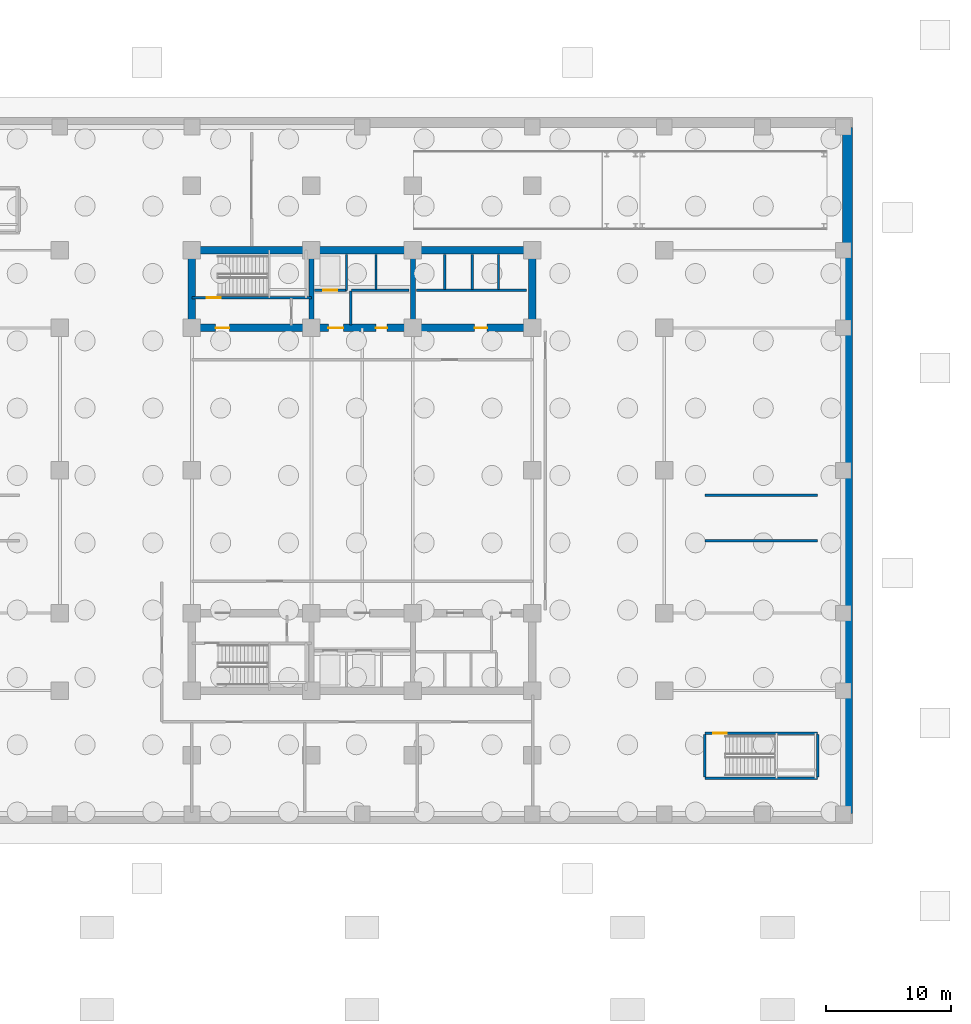
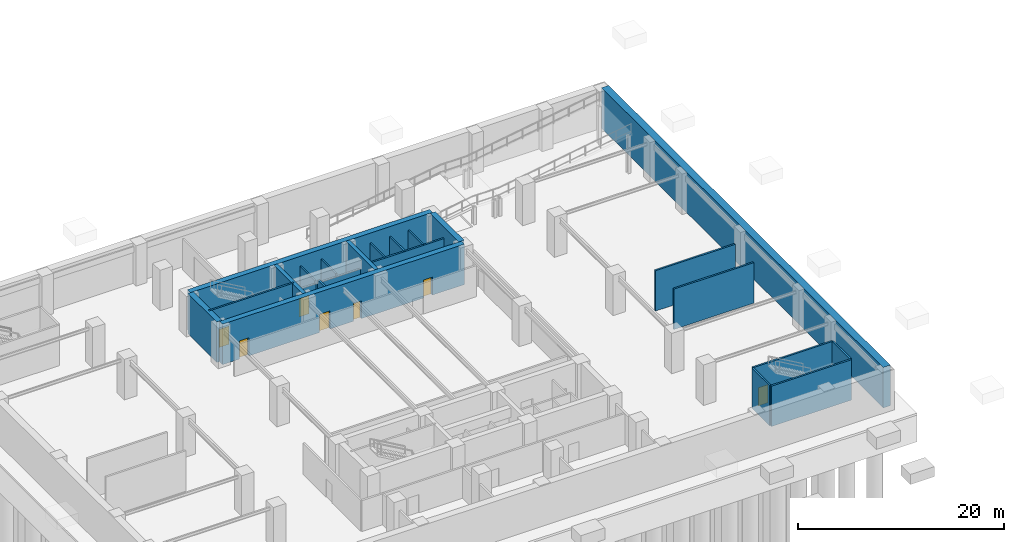
# One storey, part 8 of 13: 23 walls, 7 doors, 7 openings.
"""IFC4 building model written with IfcOpenShell, lengths in metres."""

from ifc_helpers import new_model, si_unit, direction, frame, frame_2d, origin, place, context, subcontext, project, spatial, rectangle, extrude, material, layer, layer_set, type_object, element, fill, save


model = new_model("IFC4")

# Units and contexts
model_context = context("Model", 3, precision=1e-05, world=origin(), true_north=direction((0.0, 1.0)))
body_context = subcontext(model_context, "Body", "Model", "MODEL_VIEW")
ifc_project = project(units=[si_unit("LENGTHUNIT", "METRE"), si_unit("AREAUNIT", "SQUARE_METRE"), si_unit("VOLUMEUNIT", "CUBIC_METRE"), si_unit("PLANEANGLEUNIT", "RADIAN"), si_unit("MASSUNIT", "GRAM", prefix="KILO")], contexts=[model_context])

# Site, building, storey
site_placement = place(None, origin())
site = spatial("IfcSite", under=ifc_project, at=site_placement, CompositionType="ELEMENT")
building_placement = place(site_placement, origin())
building = spatial("IfcBuilding", under=site, at=building_placement, Name="Svetorya Sky Lyceum", CompositionType="ELEMENT")
storey_placement = place(building_placement, frame((0.0, 0.0, -4.800048828125)))
storey = spatial("IfcBuildingStorey", under=building, at=storey_placement, Name="B01", CompositionType="ELEMENT", Elevation=-4.800048828125)

# Walls
ifc_material_1 = material(Name="Concrete C40/50", Category="concrete")
ifc_layer_1 = layer(ifc_material_1, 0.39990234375)
ifc_layer_set_1 = layer_set([ifc_layer_1], Name="Concrete C40/50")
wall_type_1 = type_object("IfcWallType", Name="WL-CORE-400", PredefinedType="SHEAR", material=ifc_layer_set_1)
for number, where, z_axis, x_axis, name in (
    (1, (35.14990234375, 39.89990234375, 0.0), (0.0, 0.0, 1.0), (0.0, 1.0, 0.0), "B01 NC Internal Shear Web WEB1"),
    (2, (43.25, 39.89990234375, 0.0), (0.0, 0.0, 1.0), (0.0, 1.0, 0.0), "B01 NC Internal Shear Web WEB2"),
):
    element("IfcWall", number, at=place(storey_placement, frame(where, z_axis=z_axis, x_axis=x_axis)), inside=storey, type_object=wall_type_1, Name=name, PredefinedType="SHEAR", context=body_context, shape_type="SweptSolid", body=[
        extrude(rectangle(XDim=5.60009765625, YDim=0.39990234375, at=frame_2d((2.800048828125, 0.0))), origin(), (0.0, 0.0, 1.0), 4.800048828125),
    ])
ifc_material_2 = material(Name="Concrete C60/75", Category="concrete")
ifc_layer_2 = layer(ifc_material_2, 0.60009765625)
ifc_layer_set_2 = layer_set([ifc_layer_2], Name="Concrete C60/75")
wall_type_2 = type_object("IfcWallType", Name="WL-CORE-600", PredefinedType="SHEAR", material=ifc_layer_set_2)
wall_1_placement = place(storey_placement, frame((25.60009765625, 45.800048828125, 0.0), z_axis=(0.0, 0.0, 1.0), x_axis=(1.0, 0.0, 0.0)))
element("IfcWall", 3, at=wall_1_placement, inside=storey, type_object=wall_type_2, Name="B01 NC Outer Core Shear Wall", PredefinedType="SHEAR", context=body_context, shape_type="SweptSolid", body=[
    extrude(rectangle(XDim=27.199951171875, YDim=0.60009765625, at=frame_2d((13.60009765625, 0.0))), origin(), (0.0, 0.0, 1.0), 4.800048828125),
])
for number, where, z_axis, x_axis, name in (
    (4, (25.60009765625, 39.89990234375, 0.0), (0.0, 0.0, 1.0), (0.0, 1.0, 0.0), "B01 NC West Core Shear Wall"),
    (5, (52.800048828125, 39.89990234375, 0.0), (0.0, 0.0, 1.0), (0.0, 1.0, 0.0), "B01 NC East Core Shear Wall"),
):
    element("IfcWall", number, at=place(storey_placement, frame(where, z_axis=z_axis, x_axis=x_axis)), inside=storey, type_object=wall_type_2, Name=name, PredefinedType="SHEAR", context=body_context, shape_type="SweptSolid", body=[
        extrude(rectangle(XDim=5.60009765625, YDim=0.60009765625, at=frame_2d((2.800048828125, 0.0))), origin(), (0.0, 0.0, 1.0), 4.800048828125),
    ])

# Wall, openings, doors
wall_2_placement = place(storey_placement, frame((52.800048828125, 39.60009765625, 0.0), z_axis=(0.0, 0.0, 1.0), x_axis=(-1.0, 0.0, 0.0)))
wall_2 = element("IfcWall", 6, at=wall_2_placement, inside=storey, type_object=wall_type_2, Name="B01 NC Inner Core Shear Wall", PredefinedType="SHEAR", context=body_context, shape_type="SweptSolid", body=[
    extrude(rectangle(XDim=27.199951171875, YDim=0.60009765625, at=frame_2d((13.60009765625, 0.0))), origin(), (0.0, 0.0, 1.0), 4.800048828125),
])
opening_1_placement = place(wall_2_placement, frame((24.199951171875, 0.0, 0.0)))
opening_1 = element("IfcOpeningElement", 7, at=opening_1_placement, cuts=wall_2, Name="Opening D-ST1", PredefinedType="OPENING", context=body_context, shape_type="SweptSolid", body=[
    extrude(rectangle(XDim=1.10009765625, YDim=2.14990234375, at=frame_2d((0.550048828125, 1.074951171875))), frame((0.0, 0.31005859375, 0.0), z_axis=(0.0, -1.0, 0.0), x_axis=(1.0, 0.0, 0.0)), (0.0, 0.0, 1.0), 0.6201171875),
])
opening_2_placement = place(wall_2_placement, frame((15.10009765625, 0.0, 0.0)))
opening_2 = element("IfcOpeningElement", 8, at=opening_2_placement, cuts=wall_2, Name="Opening D-FL1", PredefinedType="OPENING", context=body_context, shape_type="SweptSolid", body=[
    extrude(rectangle(XDim=1.199951171875, YDim=2.14990234375, at=frame_2d((0.60009765625, 1.074951171875))), frame((0.0, 0.31005859375, 0.0), z_axis=(0.0, -1.0, 0.0), x_axis=(1.0, 0.0, 0.0)), (0.0, 0.0, 1.0), 0.6201171875),
])
opening_3_placement = place(wall_2_placement, frame((11.60009765625, 0.0, 0.0)))
opening_3 = element("IfcOpeningElement", 9, at=opening_3_placement, cuts=wall_2, Name="Opening D-RM1", PredefinedType="OPENING", context=body_context, shape_type="SweptSolid", body=[
    extrude(rectangle(XDim=0.89990234375, YDim=2.10009765625, at=frame_2d((0.449951171875, 1.050048828125))), frame((0.0, 0.31005859375, 0.0), z_axis=(0.0, -1.0, 0.0), x_axis=(1.0, 0.0, 0.0)), (0.0, 0.0, 1.0), 0.6201171875),
])
opening_4_placement = place(wall_2_placement, frame((3.60009765625, 0.0, 0.0)))
opening_4 = element("IfcOpeningElement", 10, at=opening_4_placement, cuts=wall_2, Name="Opening D-RM2", PredefinedType="OPENING", context=body_context, shape_type="SweptSolid", body=[
    extrude(rectangle(XDim=1.0, YDim=2.14990234375, at=frame_2d((0.5, 1.074951171875))), frame((0.0, 0.31005859375, 0.0), z_axis=(0.0, -1.0, 0.0), x_axis=(1.0, 0.0, 0.0)), (0.0, 0.0, 1.0), 0.6201171875),
])
ifc_material_3 = material(Name="Powder-coated insulated galvanized stair fire door")
door_type_1 = type_object("IfcDoorType", Name="DR-FIRE-1100", OperationType="SINGLE_SWING_LEFT", PredefinedType="DOOR", material=ifc_material_3)
door_1_placement = place(opening_1_placement, origin())
door_1 = element("IfcDoor", 11, at=door_1_placement, inside=storey, type_object=door_type_1, Name="B01 North Stair Airlock Door", OperationType="SINGLE_SWING_LEFT", OverallHeight=2.14990234375, OverallWidth=1.10009765625, PredefinedType="DOOR", context=body_context, shape_type="SweptSolid", body=[
    extrude(rectangle(XDim=1.10009765625, YDim=2.14990234375, at=frame_2d((0.550048828125, 1.074951171875))), frame((0.0, 0.02490234375, 0.0), z_axis=(0.0, -1.0, 0.0), x_axis=(1.0, 0.0, 0.0)), (0.0, 0.0, 1.0), 0.050048828125),
])
fill(opening_1, door_1)
ifc_material_4 = material(Name="Powder-coated insulated galvanized fire door")
door_type_2 = type_object("IfcDoorType", Name="DR-FIRE-1200", OperationType="SINGLE_SWING_LEFT", PredefinedType="DOOR", material=ifc_material_4)
door_2_placement = place(opening_2_placement, origin())
door_2 = element("IfcDoor", 12, at=door_2_placement, inside=storey, type_object=door_type_2, Name="B01 North Firefighting Lift Lobby Door", OperationType="SINGLE_SWING_RIGHT", OverallHeight=2.14990234375, OverallWidth=1.199951171875, PredefinedType="DOOR", context=body_context, shape_type="SweptSolid", body=[
    extrude(rectangle(XDim=1.199951171875, YDim=2.14990234375, at=frame_2d((0.60009765625, 1.074951171875))), frame((0.0, 0.02490234375, 0.0), z_axis=(0.0, -1.0, 0.0), x_axis=(1.0, 0.0, 0.0)), (0.0, 0.0, 1.0), 0.050048828125),
])
fill(opening_2, door_2)
ifc_material_5 = material(Name="Solid-core oak acoustic room door")
door_type_3 = type_object("IfcDoorType", Name="DR-INT-1000", OperationType="SINGLE_SWING_LEFT", PredefinedType="DOOR", material=ifc_material_5)
door_3_placement = place(opening_4_placement, origin())
door_3 = element("IfcDoor", 13, at=door_3_placement, inside=storey, type_object=door_type_3, Name="B01 North Trunk Store Door", OperationType="SINGLE_SWING_LEFT", OverallHeight=2.14990234375, OverallWidth=1.0, PredefinedType="DOOR", context=body_context, shape_type="SweptSolid", body=[
    extrude(rectangle(XDim=1.0, YDim=2.14990234375, at=frame_2d((0.5, 1.074951171875))), frame((0.0, 0.02490234375, 0.0), z_axis=(0.0, -1.0, 0.0), x_axis=(1.0, 0.0, 0.0)), (0.0, 0.0, 1.0), 0.050048828125),
])
fill(opening_4, door_3)
ifc_material_6 = material(Name="Lacquered birch veneer internal door")
door_type_4 = type_object("IfcDoorType", Name="DR-INT-900", OperationType="SINGLE_SWING_LEFT", PredefinedType="DOOR", material=ifc_material_6)
door_4_placement = place(opening_3_placement, origin())
door_4 = element("IfcDoor", 14, at=door_4_placement, inside=storey, type_object=door_type_4, Name="B01 North Equipment Store Door", OperationType="SINGLE_SWING_LEFT", OverallHeight=2.10009765625, OverallWidth=0.89990234375, PredefinedType="DOOR", context=body_context, shape_type="SweptSolid", body=[
    extrude(rectangle(XDim=0.89990234375, YDim=2.10009765625, at=frame_2d((0.449951171875, 1.050048828125))), frame((0.0, 0.02490234375, 0.0), z_axis=(0.0, -1.0, 0.0), x_axis=(1.0, 0.0, 0.0)), (0.0, 0.0, 1.0), 0.050048828125),
])
fill(opening_3, door_4)

# Walls
ifc_material_7 = material(Name="Concrete C50/60", Category="concrete")
ifc_layer_3 = layer(ifc_material_7, 0.800048828125)
ifc_layer_set_3 = layer_set([ifc_layer_3], Name="Concrete C50/60")
wall_type_3 = type_object("IfcWallType", Name="WL-DIAPH-800", PredefinedType="USERDEFINED", material=ifc_layer_set_3)
wall_3_placement = place(storey_placement, frame((78.0, 55.60009765625, 0.0), z_axis=(0.0, 0.0, 1.0), x_axis=(0.0, -1.0, 0.0)))
element("IfcWall", 15, at=wall_3_placement, inside=storey, type_object=wall_type_3, Name="Basement Diaphragm Wall E", ObjectType="RETAININGWALL", PredefinedType="USERDEFINED", context=body_context, shape_type="SweptSolid", body=[
    extrude(rectangle(XDim=54.800048828125, YDim=0.800048828125, at=frame_2d((27.39990234375, 0.0))), origin(), (0.0, 0.0, 1.0), 4.800048828125),
])
ifc_material_8 = material(Name="Autoclaved cellular masonry blockwork with fire render", Category="masonry")
ifc_layer_4 = layer(ifc_material_8, 0.175048828125)
ifc_layer_set_4 = layer_set([ifc_layer_4], Name="Autoclaved cellular masonry blockwork with fire render")
wall_type_4 = type_object("IfcWallType", Name="WL-PART-175", PredefinedType="PARTITIONING", material=ifc_layer_set_4)
wall_4_placement = place(storey_placement, frame((37.949951171875, 42.60009765625, 0.0), z_axis=(0.0, 0.0, 1.0), x_axis=(0.0, 1.0, 0.0)))
element("IfcWall", 16, at=wall_4_placement, inside=storey, type_object=wall_type_4, Name="B01 Interior Partition NC-FL1SIDE", PredefinedType="PARTITIONING", context=body_context, shape_type="SweptSolid", body=[
    extrude(rectangle(XDim=2.849853515625, YDim=0.175048828125, at=frame_2d((1.4248046875, 0.0))), origin(), (0.0, 0.0, 1.0), 3.670166015625),
])
for number, where, z_axis, x_axis, name in (
    (17, (40.300048828125, 42.64990234375, 0.0), (0.0, 0.0, 1.0), (0.0, 1.0, 0.0), "B01 Interior Partition NC-PM-D1"),
    (18, (45.800048828125, 42.64990234375, 0.0), (0.0, 0.0, 1.0), (0.0, 1.0, 0.0), "B01 Interior Partition NC-PM3-D"),
    (19, (48.0, 42.64990234375, 0.0), (0.0, 0.0, 1.0), (0.0, 1.0, 0.0), "B01 Interior Partition NC-PH-D1"),
    (20, (50.10009765625, 42.64990234375, 0.0), (0.0, 0.0, 1.0), (0.0, 1.0, 0.0), "B01 Interior Partition NC-PH-D2"),
):
    element("IfcWall", number, at=place(storey_placement, frame(where, z_axis=z_axis, x_axis=x_axis)), inside=storey, type_object=wall_type_4, Name=name, PredefinedType="PARTITIONING", context=body_context, shape_type="SweptSolid", body=[
        extrude(rectangle(XDim=2.800048828125, YDim=0.175048828125, at=frame_2d((1.39990234375, 0.0))), origin(), (0.0, 0.0, 1.0), 3.670166015625),
    ])

# Wall, opening, door
ifc_material_9 = material(Name="Autoclaved cellular masonry blockwork with gypsum plaster", Category="masonry")
ifc_layer_5 = layer(ifc_material_9, 0.199951171875)
ifc_layer_set_5 = layer_set([ifc_layer_5], Name="Autoclaved cellular masonry blockwork with gypsum plaster")
wall_type_5 = type_object("IfcWallType", Name="WL-PART-200", PredefinedType="PARTITIONING", material=ifc_layer_set_5)
wall_5_placement = place(storey_placement, frame((37.949951171875, 42.60009765625, 0.0), z_axis=(0.0, 0.0, 1.0), x_axis=(-1.0, 0.0, 0.0)))
wall_5 = element("IfcWall", 21, at=wall_5_placement, inside=storey, type_object=wall_type_5, Name="B01 Interior Partition NC-FL1W", PredefinedType="PARTITIONING", context=body_context, shape_type="SweptSolid", body=[
    extrude(rectangle(XDim=2.550048828125, YDim=0.199951171875, at=frame_2d((1.27490234375, 0.0))), origin(), (0.0, 0.0, 1.0), 3.330078125),
])
opening_5_placement = place(wall_5_placement, frame((0.75, 0.0, 0.0)))
opening_5 = element("IfcOpeningElement", 22, at=opening_5_placement, cuts=wall_5, Name="Opening LD-FL", PredefinedType="OPENING", context=body_context, shape_type="SweptSolid", body=[
    extrude(rectangle(XDim=1.10009765625, YDim=2.14990234375, at=frame_2d((0.550048828125, 1.074951171875))), frame((0.0, 0.10986328125, 0.0), z_axis=(0.0, -1.0, 0.0), x_axis=(1.0, 0.0, 0.0)), (0.0, 0.0, 1.0), 0.219970703125),
])
ifc_material_10 = material(Name="Fire-rated stainless AISI 304 firefighting lift landing door")
door_type_5 = type_object("IfcDoorType", Name="DR-LIFT-1100", OperationType="SLIDING_TO_LEFT", PredefinedType="DOOR", material=ifc_material_10)
door_5_placement = place(opening_5_placement, origin())
door_5 = element("IfcDoor", 23, at=door_5_placement, inside=storey, type_object=door_type_5, Name="B01 Firefighting Lift FL1 Landing Door", OperationType="SLIDING_TO_LEFT", OverallHeight=2.14990234375, OverallWidth=1.10009765625, PredefinedType="DOOR", context=body_context, shape_type="SweptSolid", body=[
    extrude(rectangle(XDim=1.10009765625, YDim=2.14990234375, at=frame_2d((0.550048828125, 1.074951171875))), frame((0.0, 0.02490234375, 0.0), z_axis=(0.0, -1.0, 0.0), x_axis=(1.0, 0.0, 0.0)), (0.0, 0.0, 1.0), 0.050048828125),
])
fill(opening_5, door_5)

# Walls
wall_6_placement = place(storey_placement, frame((38.280029296875, 39.820068359375, 0.0), z_axis=(0.0, 0.0, 1.0), x_axis=(0.0, 1.0, 0.0)))
element("IfcWall", 24, at=wall_6_placement, inside=storey, type_object=wall_type_5, Name="B01 Interior Partition NC-FFLDIV", PredefinedType="PARTITIONING", context=body_context, shape_type="SweptSolid", body=[
    extrude(rectangle(XDim=2.72998046875, YDim=0.199951171875, at=frame_2d((1.364990234375, 0.0))), origin(), (0.0, 0.0, 1.0), 3.670166015625),
])
wall_7_placement = place(storey_placement, frame((42.949951171875, 42.60009765625, 0.0), z_axis=(0.0, 0.0, 1.0), x_axis=(-1.0, 0.0, 0.0)))
element("IfcWall", 25, at=wall_7_placement, inside=storey, type_object=wall_type_5, Name="B01 Interior Partition NC-PM12W", PredefinedType="PARTITIONING", context=body_context, shape_type="SweptSolid", body=[
    extrude(rectangle(XDim=4.599853515625, YDim=0.199951171875, at=frame_2d((2.2998046875, 0.0))), origin(), (0.0, 0.0, 1.0), 3.330078125),
])
wall_8_placement = place(storey_placement, frame((52.35009765625, 42.60009765625, 0.0), z_axis=(0.0, 0.0, 1.0), x_axis=(-1.0, 0.0, 0.0)))
element("IfcWall", 26, at=wall_8_placement, inside=storey, type_object=wall_type_5, Name="B01 Interior Partition NC-PHEW", PredefinedType="PARTITIONING", context=body_context, shape_type="SweptSolid", body=[
    extrude(rectangle(XDim=8.800048828125, YDim=0.199951171875, at=frame_2d((4.39990234375, 0.0))), origin(), (0.0, 0.0, 1.0), 3.670166015625),
])
ifc_layer_6 = layer(ifc_material_7, 0.199951171875)
ifc_layer_set_6 = layer_set([ifc_layer_6], Name="Concrete C50/60")
wall_type_6 = type_object("IfcWallType", Name="WL-SHW-200", PredefinedType="SHEAR", material=ifc_layer_set_6)
for number, where, z_axis, x_axis, name in (
    (27, (66.60009765625, 22.60009765625, 0.0), (0.0, 0.0, 1.0), (1.0, 0.0, 0.0), "B01 Lyceum Stair E Substructure Support Wall S"),
    (28, (66.60009765625, 26.199951171875, 0.0), (0.0, 0.0, 1.0), (1.0, 0.0, 0.0), "B01 Lyceum Stair E Substructure Support Wall N"),
):
    element("IfcWall", number, at=place(storey_placement, frame(where, z_axis=z_axis, x_axis=x_axis)), inside=storey, type_object=wall_type_6, Name=name, PredefinedType="SHEAR", context=body_context, shape_type="SweptSolid", body=[
        extrude(rectangle(XDim=9.0, YDim=0.199951171875, at=frame_2d((4.5, 0.0))), origin(), (0.0, 0.0, 1.0), 4.800048828125),
    ])

# Wall, opening, door
wall_9_placement = place(storey_placement, frame((35.14990234375, 42.0, 0.0), z_axis=(0.0, 0.0, 1.0), x_axis=(-1.0, 0.0, 0.0)))
wall_9 = element("IfcWall", 29, at=wall_9_placement, inside=storey, type_object=wall_type_6, Name="B01 Structural Stair Shaft Wall NC-STW", PredefinedType="SHEAR", context=body_context, shape_type="SweptSolid", body=[
    extrude(rectangle(XDim=9.5498046875, YDim=0.199951171875, at=frame_2d((4.77490234375, 0.0))), origin(), (0.0, 0.0, 1.0), 4.800048828125),
])
opening_6_placement = place(wall_9_placement, frame((7.25, 0.0, 0.0)))
opening_6 = element("IfcOpeningElement", 30, at=opening_6_placement, cuts=wall_9, Name="Opening D-ST1", PredefinedType="OPENING", context=body_context, shape_type="SweptSolid", body=[
    extrude(rectangle(XDim=1.10009765625, YDim=2.14990234375, at=frame_2d((0.550048828125, 1.074951171875))), frame((0.0, 0.10986328125, 0.0), z_axis=(0.0, -1.0, 0.0), x_axis=(1.0, 0.0, 0.0)), (0.0, 0.0, 1.0), 0.219970703125),
])
door_6_placement = place(opening_6_placement, origin())
door_6 = element("IfcDoor", 31, at=door_6_placement, inside=storey, type_object=door_type_1, Name="B01 Stair ST-N Vestibule Fire Door", OperationType="SINGLE_SWING_RIGHT", OverallHeight=2.14990234375, OverallWidth=1.10009765625, PredefinedType="DOOR", context=body_context, shape_type="SweptSolid", body=[
    extrude(rectangle(XDim=1.10009765625, YDim=2.14990234375, at=frame_2d((0.550048828125, 1.074951171875))), frame((0.0, 0.02490234375, 0.0), z_axis=(0.0, -1.0, 0.0), x_axis=(1.0, 0.0, 0.0)), (0.0, 0.0, 1.0), 0.050048828125),
])
fill(opening_6, door_6)

# Wall
wall_10_placement = place(storey_placement, frame((66.60009765625, 3.60009765625, 0.0), z_axis=(0.0, 0.0, 1.0), x_axis=(1.0, 0.0, 0.0)))
element("IfcWall", 32, at=wall_10_placement, inside=storey, type_object=wall_type_6, Name="B01 Structural Stair Shaft Wall STB-S-B2", PredefinedType="SHEAR", context=body_context, shape_type="SweptSolid", body=[
    extrude(rectangle(XDim=9.0, YDim=0.199951171875, at=frame_2d((4.5, 0.0))), origin(), (0.0, 0.0, 1.0), 4.800048828125),
])

# Wall, opening, door
wall_11_placement = place(storey_placement, frame((75.60009765625, 7.199951171875, 0.0), z_axis=(0.0, 0.0, 1.0), x_axis=(-1.0, 0.0, 0.0)))
wall_11 = element("IfcWall", 33, at=wall_11_placement, inside=storey, type_object=wall_type_6, Name="B01 Structural Stair Shaft Wall STB-N-B2", PredefinedType="SHEAR", context=body_context, shape_type="SweptSolid", body=[
    extrude(rectangle(XDim=9.0, YDim=0.199951171875, at=frame_2d((4.5, 0.0))), origin(), (0.0, 0.0, 1.0), 4.800048828125),
])
opening_7_placement = place(wall_11_placement, frame((7.25, 0.0, 0.0)))
opening_7 = element("IfcOpeningElement", 34, at=opening_7_placement, cuts=wall_11, Name="Opening D-ST1", PredefinedType="OPENING", context=body_context, shape_type="SweptSolid", body=[
    extrude(rectangle(XDim=1.10009765625, YDim=2.14990234375, at=frame_2d((0.550048828125, 1.074951171875))), frame((0.0, 0.10986328125, 0.0), z_axis=(0.0, -1.0, 0.0), x_axis=(1.0, 0.0, 0.0)), (0.0, 0.0, 1.0), 0.219970703125),
])
door_7_placement = place(opening_7_placement, origin())
door_7 = element("IfcDoor", 35, at=door_7_placement, inside=storey, type_object=door_type_1, Name="B01 Basement Stair ST-B2 Door", OperationType="SINGLE_SWING_LEFT", OverallHeight=2.14990234375, OverallWidth=1.10009765625, PredefinedType="DOOR", context=body_context, shape_type="SweptSolid", body=[
    extrude(rectangle(XDim=1.10009765625, YDim=2.14990234375, at=frame_2d((0.550048828125, 1.074951171875))), frame((0.0, 0.02490234375, 0.0), z_axis=(0.0, -1.0, 0.0), x_axis=(1.0, 0.0, 0.0)), (0.0, 0.0, 1.0), 0.050048828125),
])
fill(opening_7, door_7)

# Walls
for number, where, z_axis, x_axis, name in (
    (36, (66.60009765625, 3.699951171875, 0.0), (0.0, 0.0, 1.0), (0.0, 1.0, 0.0), "B01 Structural Stair Shaft Wall STB-W-B2"),
    (37, (75.60009765625, 3.699951171875, 0.0), (0.0, 0.0, 1.0), (0.0, 1.0, 0.0), "B01 Structural Stair Shaft Wall STB-E-B2"),
):
    element("IfcWall", number, at=place(storey_placement, frame(where, z_axis=z_axis, x_axis=x_axis)), inside=storey, type_object=wall_type_6, Name=name, PredefinedType="SHEAR", context=body_context, shape_type="SweptSolid", body=[
        extrude(rectangle(XDim=3.400146484375, YDim=0.199951171875, at=frame_2d((1.7001953125, 0.0))), origin(), (0.0, 0.0, 1.0), 4.800048828125),
    ])

save(model, "model.ifc")
